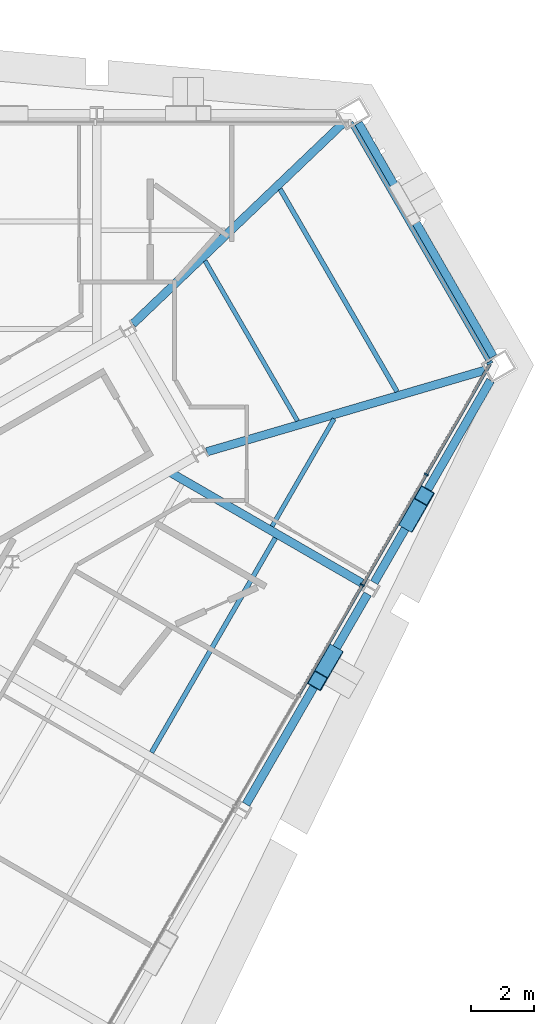
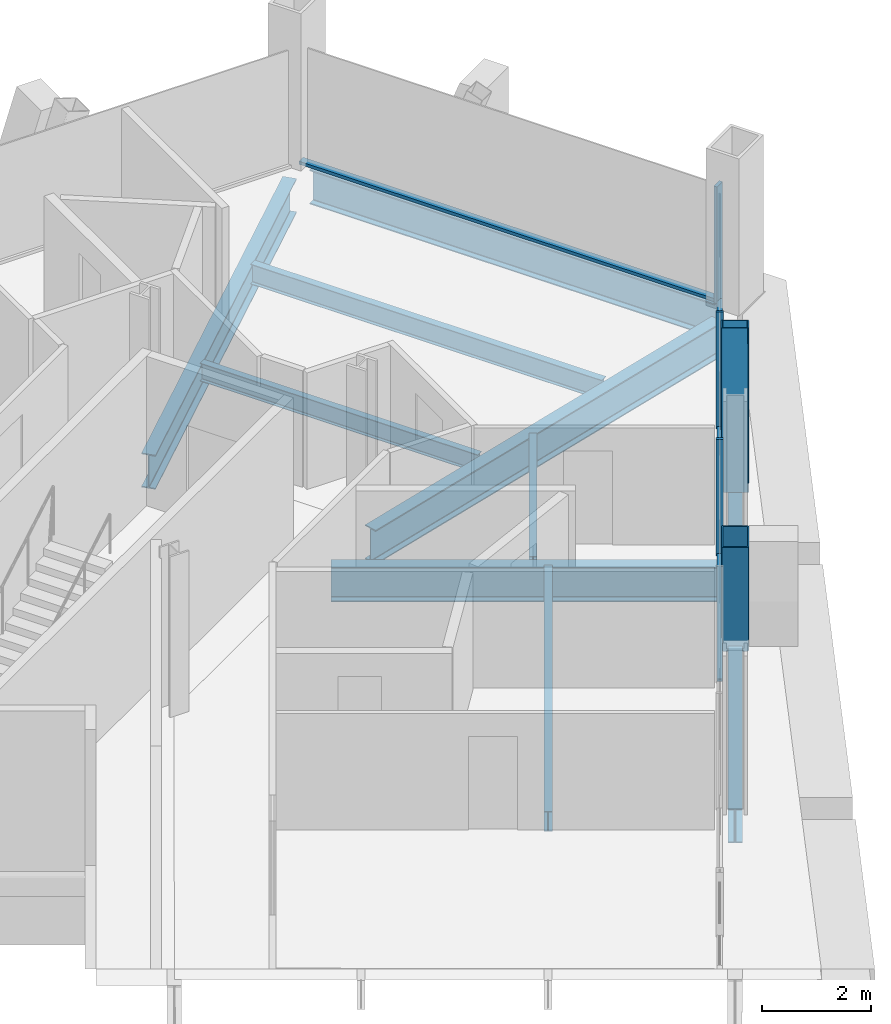
# One storey, part 10 of 19: 10 beams, 9 members, 2 elements without a shape of their own.
"""IFC4 building model written with IfcOpenShell, lengths in metres."""

from ifc_helpers import new_model, si_unit, direction, frame, origin, origin_2d, place, context, subcontext, project, spatial, rectangle, hollow_rectangle, i_section, extrude, material, material_profile, profile_set, type_object, element, aggregate, save


model = new_model("IFC4")

# Units and contexts
model_context = context("Model", 3, precision=1e-05, world=origin(), true_north=direction((0.0, 1.0)))
body_context = subcontext(model_context, "Body", "Model", "MODEL_VIEW")
ifc_project = project(units=[si_unit("LENGTHUNIT", "METRE"), si_unit("AREAUNIT", "SQUARE_METRE"), si_unit("VOLUMEUNIT", "CUBIC_METRE"), si_unit("PLANEANGLEUNIT", "RADIAN"), si_unit("MASSUNIT", "GRAM", prefix="KILO")], contexts=[model_context])

# Site, building, storey
site_placement = place(None, origin())
site = spatial("IfcSite", under=ifc_project, at=site_placement, CompositionType="ELEMENT")
building_placement = place(site_placement, origin())
building = spatial("IfcBuilding", under=site, at=building_placement, Name="Verrane Prism Tower", CompositionType="ELEMENT")
storey_placement = place(building_placement, frame((0.0, 0.0, 125.199951171875)))
storey = spatial("IfcBuildingStorey", under=building, at=storey_placement, Name="L30", CompositionType="ELEMENT", Elevation=125.199951171875)

# Beams
ifc_material_1 = material(Name="Steel A992", Category="steel")
ifc_material_profile_1 = material_profile(ifc_material_1, i_section(OverallWidth=0.2666015625, OverallDepth=0.76708984375, WebThickness=0.014892578125, FlangeThickness=0.023681640625, FilletRadius=0.0166015625, at=origin_2d()), Name="W30x124")
ifc_profile_set_1 = profile_set([ifc_material_profile_1], Name="Steel A992")
beam_type_1 = type_object("IfcBeamType", Name="Chamfer spandrel beam W30x124", PredefinedType="SPANDREL", material=ifc_profile_set_1)
beam_1_placement = place(storey_placement, frame((28.93505859375, 11.753173828125, -0.54345703125), z_axis=(-0.499834903175, 0.866120701501, 0.0), x_axis=(-0.866120701501, -0.499834903175, 0.0)))
element("IfcBeam", 1, at=beam_1_placement, inside=storey, type_object=beam_type_1, Name="Chamfer spandrel beam L30", PredefinedType="SPANDREL", context=body_context, shape_type="SweptSolid", body=[
    extrude(i_section(OverallWidth=0.2666015625, OverallDepth=0.76708984375, WebThickness=0.014892578125, FlangeThickness=0.023681640625, FilletRadius=0.0166015625, at=origin_2d()), origin(), (0.0, 0.0, 1.0), 8.5830078125),
])
ifc_material_2 = material(Name="Steel A992", Category="steel")
ifc_material_profile_2 = material_profile(ifc_material_2, i_section(OverallWidth=0.2666015625, OverallDepth=0.76708984375, WebThickness=0.014892578125, FlangeThickness=0.023681640625, FilletRadius=0.0166015625, at=origin_2d()), Name="W30x124")
ifc_profile_set_2 = profile_set([ifc_material_profile_2], Name="Steel A992")
beam_type_2 = type_object("IfcBeamType", Name="Corner girder W30x124", PredefinedType="BEAM", material=ifc_profile_set_2)
beam_2_placement = place(storey_placement, frame((28.66552734375, 11.319580078125, -0.603515625), z_axis=(-0.959558305514, -0.281509961313, 0.0), x_axis=(0.281509961313, -0.959558305514, 0.0)))
element("IfcBeam", 2, at=beam_2_placement, inside=storey, type_object=beam_type_2, Name="Corner girder L30", PredefinedType="BEAM", context=body_context, shape_type="SweptSolid", body=[
    extrude(i_section(OverallWidth=0.2666015625, OverallDepth=0.76708984375, WebThickness=0.014892578125, FlangeThickness=0.023681640625, FilletRadius=0.0166015625, at=origin_2d()), origin(), (0.0, 0.0, 1.0), 9.22412109375),
])
beam_3_placement = place(storey_placement, frame((24.135009765625, 19.170166015625, -0.603515625), z_axis=(-0.723045594002, -0.690800310506, 0.0), x_axis=(0.690800310506, -0.723045594002, 0.0)))
element("IfcBeam", 3, at=beam_3_placement, inside=storey, type_object=beam_type_2, Name="Corner girder L30", PredefinedType="BEAM", context=body_context, shape_type="SweptSolid", body=[
    extrude(i_section(OverallWidth=0.2666015625, OverallDepth=0.76708984375, WebThickness=0.014892578125, FlangeThickness=0.023681640625, FilletRadius=0.0166015625, at=origin_2d()), origin(), (0.0, 0.0, 1.0), 9.2294921875),
])

# Members
ifc_material_3 = material(Name="Steel A1085 Grade A", Category="steel")
ifc_material_profile_3 = material_profile(ifc_material_3, hollow_rectangle(XDim=0.508056640625, YDim=0.508056640625, WallThickness=0.025390625, InnerFilletRadius=0.0126953125, OuterFilletRadius=0.0380859375, at=origin_2d()), Name="HSS20x20x1")
ifc_profile_set_3 = profile_set([ifc_material_profile_3], Name="Steel A1085 Grade A")
member_type_1 = type_object("IfcMemberType", Name="Facade brace HSS20x20x1", PredefinedType="BRACE", material=ifc_profile_set_3)
member_1_placement = place(storey_placement, frame((23.826416015625, 2.280029296875, -0.242431640625), z_axis=(-0.154053654458, -0.266563015132, 0.951426103548), x_axis=(0.865809537846, -0.50037370452, 0.0)))
element("IfcMember", 4, at=member_1_placement, inside=storey, type_object=member_type_1, Name="Facade brace SE4 L30", PredefinedType="BRACE", context=body_context, shape_type="SweptSolid", body=[
    extrude(hollow_rectangle(XDim=0.508056640625, YDim=0.508056640625, WallThickness=0.025390625, InnerFilletRadius=0.0126953125, OuterFilletRadius=0.0380859375, at=origin_2d()), origin(), (0.0, 0.0, 1.0), 3.16162109375),
])
member_2_placement = place(storey_placement, frame((26.25048828125, 6.48291015625, -0.242431640625), z_axis=(0.153736249276, 0.266934311274, 0.951373343711), x_axis=(-0.866556757251, 0.49907853737, 0.0)))
element("IfcMember", 5, at=member_2_placement, inside=storey, type_object=member_type_1, Name="Facade brace SE5 L30", PredefinedType="BRACE", context=body_context, shape_type="SweptSolid", body=[
    extrude(hollow_rectangle(XDim=0.508056640625, YDim=0.508056640625, WallThickness=0.025390625, InnerFilletRadius=0.0126953125, OuterFilletRadius=0.0380859375, at=origin_2d()), origin(), (0.0, 0.0, 1.0), 3.161865234375),
])

# Beams
ifc_material_4 = material(Name="Steel A992", Category="steel")
ifc_material_profile_4 = material_profile(ifc_material_4, i_section(OverallWidth=0.140380859375, OverallDepth=0.40380859375, WebThickness=0.007080078125, FlangeThickness=0.01123046875, FilletRadius=0.01025390625, at=origin_2d()), Name="W16x31")
ifc_profile_set_4 = profile_set([ifc_material_profile_4], Name="Steel A992")
beam_type_3 = type_object("IfcBeamType", Name="Floor beam W16x31", PredefinedType="BEAM", material=ifc_profile_set_4)
beam_4_placement = place(storey_placement, frame((21.891845703125, 6.3505859375, -0.36181640625), z_axis=(0.499986281351, 0.866033324105, 0.0), x_axis=(-0.866033324105, 0.499986281351, 0.0)))
element("IfcBeam", 6, at=beam_4_placement, inside=storey, type_object=beam_type_3, Name="Floor beam L30", PredefinedType="BEAM", context=body_context, shape_type="SweptSolid", body=[
    extrude(i_section(OverallWidth=0.140380859375, OverallDepth=0.40380859375, WebThickness=0.007080078125, FlangeThickness=0.01123046875, FilletRadius=0.01025390625, at=origin_2d()), origin(), (0.0, 0.0, 1.0), 3.95166015625),
])
beam_5_placement = place(storey_placement, frame((22.70068359375, 9.708740234375, -0.36181640625), z_axis=(-0.500003813253, 0.866023202191, 0.0), x_axis=(-0.866023202191, -0.500003813253, 0.0)))
element("IfcBeam", 7, at=beam_5_placement, inside=storey, type_object=beam_type_3, Name="Floor beam L30", PredefinedType="BEAM", context=body_context, shape_type="SweptSolid", body=[
    extrude(i_section(OverallWidth=0.140380859375, OverallDepth=0.40380859375, WebThickness=0.007080078125, FlangeThickness=0.01123046875, FilletRadius=0.01025390625, at=origin_2d()), origin(), (0.0, 0.0, 1.0), 5.8837890625),
])
ifc_material_5 = material(Name="Steel A992", Category="steel")
ifc_material_profile_5 = material_profile(ifc_material_5, i_section(OverallWidth=0.15234375, OverallDepth=0.449462890625, WebThickness=0.007568359375, FlangeThickness=0.0107421875, FilletRadius=0.01025390625, at=origin_2d()), Name="W18x35")
ifc_profile_set_5 = profile_set([ifc_material_profile_5], Name="Steel A992")
beam_type_4 = type_object("IfcBeamType", Name="Floor beam W18x35", PredefinedType="BEAM", material=ifc_profile_set_5)
beam_6_placement = place(storey_placement, frame((18.055419921875, -0.848876953125, -0.384765625), z_axis=(0.500004726595, 0.866022674866, 0.0), x_axis=(-0.866022674866, 0.500004726595, 0.0)))
element("IfcBeam", 8, at=beam_6_placement, inside=storey, type_object=beam_type_4, Name="Floor beam L30", PredefinedType="BEAM", context=body_context, shape_type="SweptSolid", body=[
    extrude(i_section(OverallWidth=0.15234375, OverallDepth=0.449462890625, WebThickness=0.007568359375, FlangeThickness=0.0107421875, FilletRadius=0.01025390625, at=origin_2d()), origin(), (0.0, 0.0, 1.0), 7.88623046875),
])
beam_7_placement = place(storey_placement, frame((25.871826171875, 10.63916015625, -0.384765625), z_axis=(-0.500011000363, 0.866019052629, 0.0), x_axis=(-0.866019052629, -0.500011000363, 0.0)))
element("IfcBeam", 9, at=beam_7_placement, inside=storey, type_object=beam_type_4, Name="Floor beam L30", PredefinedType="BEAM", context=body_context, shape_type="SweptSolid", body=[
    extrude(i_section(OverallWidth=0.15234375, OverallDepth=0.449462890625, WebThickness=0.007568359375, FlangeThickness=0.0107421875, FilletRadius=0.01025390625, at=origin_2d()), origin(), (0.0, 0.0, 1.0), 7.446044921875),
])

# Curtain wall, members
ifc_material_6 = material(Name="Aluminium framed insulated glazing", Category="aluminium")
curtain_wall_type_1 = type_object("IfcCurtainWallType", Name="Curtain wall CW-C 4200 module", PredefinedType="NOTDEFINED", material=ifc_material_6)
curtain_wall_1_placement = place(storey_placement, origin())
curtain_wall_1 = element("IfcCurtainWall", 10, at=curtain_wall_1_placement, inside=storey, type_object=curtain_wall_type_1, Name="Glazed curtain wall south-east face L30", PredefinedType="NOTDEFINED")
ifc_material_7 = material(Name="Aluminium alloy 6063-T6", Category="aluminium")
ifc_material_profile_6 = material_profile(ifc_material_7, rectangle(XDim=0.139892578125, YDim=0.050048828125, at=origin_2d()), Name="Mullion 50x140 aluminium")
ifc_profile_set_6 = profile_set([ifc_material_profile_6], Name="Aluminium alloy 6063-T6")
member_type_2 = type_object("IfcMemberType", Name="Mullion 50x140 aluminium", PredefinedType="MULLION", material=ifc_profile_set_6)
member_3_placement = place(storey_placement, frame((24.77001953125, 4.48095703125, 0.0), z_axis=(0.0, 0.0, 1.0), x_axis=(-0.866025327793, 0.500000131621, 0.0)))
member_3 = element("IfcMember", 11, at=member_3_placement, type_object=member_type_2, Name="CW29.6 mullion 11", PredefinedType="MULLION", context=body_context, shape_type="SweptSolid", body=[
    extrude(rectangle(XDim=0.139892578125, YDim=0.050048828125, at=origin_2d()), origin(), (0.0, 0.0, 1.0), 2.613037109375),
])
member_4_placement = place(storey_placement, frame((26.80322265625, 8.002685546875, 0.0), z_axis=(0.0, 0.0, 1.0), x_axis=(-0.866025327793, 0.500000131621, 0.0)))
member_4 = element("IfcMember", 12, at=member_4_placement, type_object=member_type_2, Name="CW29.6 mullion 12", PredefinedType="MULLION", context=body_context, shape_type="SweptSolid", body=[
    extrude(rectangle(XDim=0.139892578125, YDim=0.050048828125, at=origin_2d()), origin(), (0.0, 0.0, 1.0), 2.613037109375),
])

# Curtain wall, member
ifc_material_8 = material(Name="Aluminium framed insulated glazing", Category="aluminium")
curtain_wall_type_2 = type_object("IfcCurtainWallType", Name="Curtain wall CW-A 8400 module", PredefinedType="NOTDEFINED", material=ifc_material_8)
curtain_wall_2_placement = place(storey_placement, origin())
curtain_wall_2 = element("IfcCurtainWall", 13, at=curtain_wall_2_placement, inside=storey, type_object=curtain_wall_type_2, Name="Glazed curtain wall north-east corner L30", PredefinedType="NOTDEFINED")
ifc_material_9 = material(Name="Aluminium alloy 6063-T6", Category="aluminium")
ifc_material_profile_7 = material_profile(ifc_material_9, rectangle(XDim=0.199951171875, YDim=0.070068359375, at=origin_2d()), Name="Mullion 70x200 aluminium")
ifc_profile_set_7 = profile_set([ifc_material_profile_7], Name="Aluminium alloy 6063-T6")
member_type_3 = type_object("IfcMemberType", Name="Mullion 70x200 aluminium", PredefinedType="MULLION", material=ifc_profile_set_7)
member_5_placement = place(storey_placement, frame((28.819091796875, 11.5546875, 0.0), z_axis=(0.0, 0.0, 1.0), x_axis=(-0.866026297252, -0.499998452466, 0.0)))
member_5 = element("IfcMember", 14, at=member_5_placement, type_object=member_type_3, Name="CW29.1 mullion 1", PredefinedType="MULLION", context=body_context, shape_type="SweptSolid", body=[
    extrude(rectangle(XDim=0.199951171875, YDim=0.070068359375, at=origin_2d()), origin(), (0.0, 0.0, 1.0), 2.613037109375),
])

# Beams
ifc_material_10 = material(Name="Steel A992", Category="steel")
ifc_material_profile_8 = material_profile(ifc_material_10, i_section(OverallWidth=0.2666015625, OverallDepth=0.76708984375, WebThickness=0.014892578125, FlangeThickness=0.023681640625, FilletRadius=0.0166015625, at=origin_2d()), Name="W30x124")
ifc_profile_set_8 = profile_set([ifc_material_profile_8], Name="Steel A992")
beam_type_5 = type_object("IfcBeamType", Name="Radial girder W30x124", PredefinedType="BEAM", material=ifc_profile_set_8)
beam_8_placement = place(storey_placement, frame((24.843017578125, 4.49365234375, -0.603515625), z_axis=(-0.866018882953, 0.500011294241, 0.0), x_axis=(-0.500011294241, -0.866018882953, 0.0)))
element("IfcBeam", 15, at=beam_8_placement, inside=storey, type_object=beam_type_5, Name="Radial girder L30", PredefinedType="BEAM", context=body_context, shape_type="SweptSolid", body=[
    extrude(i_section(OverallWidth=0.2666015625, OverallDepth=0.76708984375, WebThickness=0.014892578125, FlangeThickness=0.023681640625, FilletRadius=0.0166015625, at=origin_2d()), origin(), (0.0, 0.0, 1.0), 7.194580078125),
])
ifc_material_11 = material(Name="Steel A992", Category="steel")
ifc_material_profile_9 = material_profile(ifc_material_11, i_section(OverallWidth=0.2666015625, OverallDepth=0.7568359375, WebThickness=0.013916015625, FlangeThickness=0.019287109375, FilletRadius=0.0166015625, at=origin_2d()), Name="W30x108")
ifc_profile_set_9 = profile_set([ifc_material_profile_9], Name="Steel A992")
beam_type_6 = type_object("IfcBeamType", Name="Spandrel beam W30x108", PredefinedType="SPANDREL", material=ifc_profile_set_9)
beam_9_placement = place(storey_placement, frame((21.06494140625, -2.49853515625, -0.538330078125), z_axis=(0.500348062424, 0.86582435657, 0.0), x_axis=(-0.86582435657, 0.500348062424, 0.0)))
element("IfcBeam", 16, at=beam_9_placement, inside=storey, type_object=beam_type_6, Name="Spandrel beam L30", PredefinedType="SPANDREL", context=body_context, shape_type="SweptSolid", body=[
    extrude(i_section(OverallWidth=0.2666015625, OverallDepth=0.7568359375, WebThickness=0.013916015625, FlangeThickness=0.019287109375, FilletRadius=0.0166015625, at=origin_2d()), origin(), (0.0, 0.0, 1.0), 7.73486328125),
])
beam_10_placement = place(storey_placement, frame((25.14453125, 4.5615234375, -0.538330078125), z_axis=(0.498911336426, 0.866653032294, 0.0), x_axis=(-0.866653032294, 0.498911336426, 0.0)))
element("IfcBeam", 17, at=beam_10_placement, inside=storey, type_object=beam_type_6, Name="Spandrel beam L30", PredefinedType="SPANDREL", context=body_context, shape_type="SweptSolid", body=[
    extrude(i_section(OverallWidth=0.2666015625, OverallDepth=0.7568359375, WebThickness=0.013916015625, FlangeThickness=0.019287109375, FilletRadius=0.0166015625, at=origin_2d()), origin(), (0.0, 0.0, 1.0), 7.42822265625),
])

# Member
ifc_material_12 = material(Name="Aluminium alloy 6063-T6", Category="aluminium")
ifc_material_profile_10 = material_profile(ifc_material_12, rectangle(XDim=0.10009765625, YDim=0.050048828125, at=origin_2d()), Name="Transom 50x100 aluminium")
ifc_profile_set_10 = profile_set([ifc_material_profile_10], Name="Aluminium alloy 6063-T6")
member_type_4 = type_object("IfcMemberType", Name="Transom 50x100 aluminium", PredefinedType="USERDEFINED", material=ifc_profile_set_10)
member_6_placement = place(storey_placement, frame((22.749267578125, 0.98095703125, 0.025146484375), z_axis=(0.499996050563, 0.866027683981, 0.0), x_axis=(-0.866027683981, 0.499996050563, 0.0)))
member_6 = element("IfcMember", 18, at=member_6_placement, type_object=member_type_4, Name="CW29.6 transom 10", ObjectType="TRANSOM", PredefinedType="USERDEFINED", context=body_context, shape_type="SweptSolid", body=[
    extrude(rectangle(XDim=0.10009765625, YDim=0.050048828125, at=origin_2d()), origin(), (0.0, 0.0, 1.0), 4.0166015625),
])

member_7_placement = place(storey_placement, frame((24.782470703125, 4.502685546875, 0.025146484375), z_axis=(0.500022371132, 0.86601248742, 0.0), x_axis=(-0.86601248742, 0.500022371132, 0.0)))
member_7 = element("IfcMember", 19, at=member_7_placement, type_object=member_type_4, Name="CW29.6 transom 11", ObjectType="TRANSOM", PredefinedType="USERDEFINED", context=body_context, shape_type="SweptSolid", body=[
    extrude(rectangle(XDim=0.10009765625, YDim=0.050048828125, at=origin_2d()), origin(), (0.0, 0.0, 1.0), 4.016357421875),
])

member_8_placement = place(storey_placement, frame((26.815673828125, 8.0244140625, 0.025146484375), z_axis=(0.50000482701, 0.866022616891, 0.0), x_axis=(-0.866022616891, 0.50000482701, 0.0)))
member_8 = element("IfcMember", 20, at=member_8_placement, type_object=member_type_4, Name="CW29.6 transom 12", ObjectType="TRANSOM", PredefinedType="USERDEFINED", context=body_context, shape_type="SweptSolid", body=[
    extrude(rectangle(XDim=0.10009765625, YDim=0.050048828125, at=origin_2d()), origin(), (0.0, 0.0, 1.0), 4.04150390625),
])

aggregate(curtain_wall_1, [member_3, member_4, member_6, member_7, member_8])

ifc_material_13 = material(Name="Aluminium alloy 6063-T6", Category="aluminium")
ifc_material_profile_11 = material_profile(ifc_material_13, rectangle(XDim=0.14990234375, YDim=0.070068359375, at=origin_2d()), Name="Transom 70x150 aluminium")
ifc_profile_set_11 = profile_set([ifc_material_profile_11], Name="Aluminium alloy 6063-T6")
member_type_5 = type_object("IfcMemberType", Name="Transom 70x150 aluminium", PredefinedType="USERDEFINED", material=ifc_profile_set_11)
member_9_placement = place(storey_placement, frame((28.801513671875, 11.5849609375, 0.03515625), z_axis=(-0.499997650106, 0.866026760492, 0.0), x_axis=(-0.866026760492, -0.499997650106, 0.0)))
member_9 = element("IfcMember", 21, at=member_9_placement, type_object=member_type_5, Name="CW29.1 transom 1", ObjectType="TRANSOM", PredefinedType="USERDEFINED", context=body_context, shape_type="SweptSolid", body=[
    extrude(rectangle(XDim=0.14990234375, YDim=0.070068359375, at=origin_2d()), origin(), (0.0, 0.0, 1.0), 8.8056640625),
])

aggregate(curtain_wall_2, [member_5, member_9])

save(model, "model.ifc")
